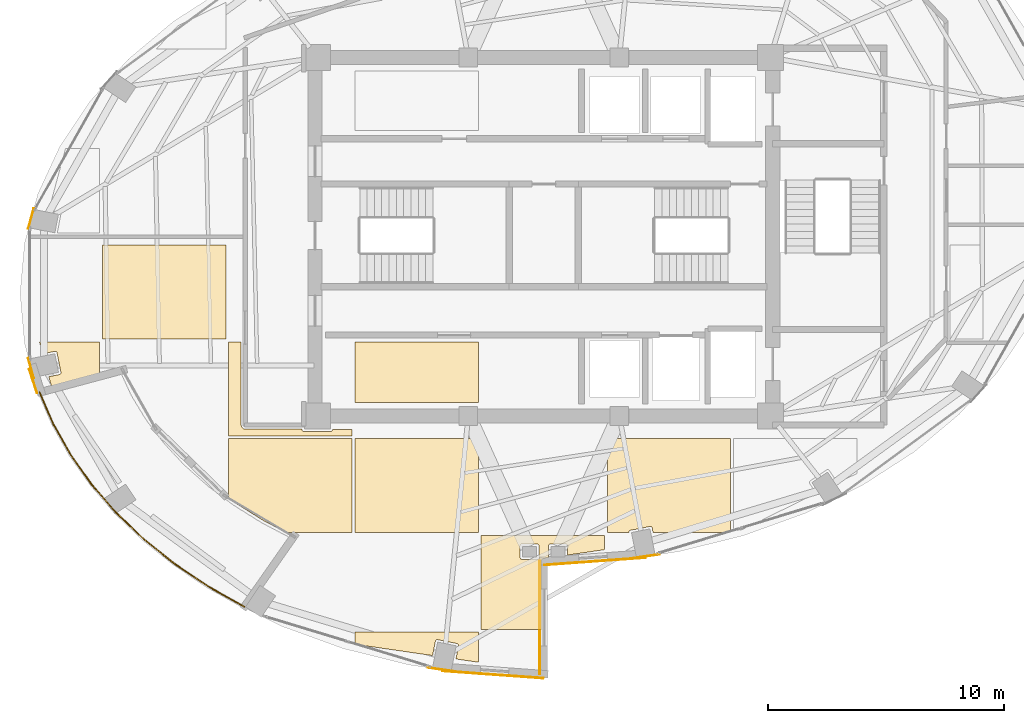
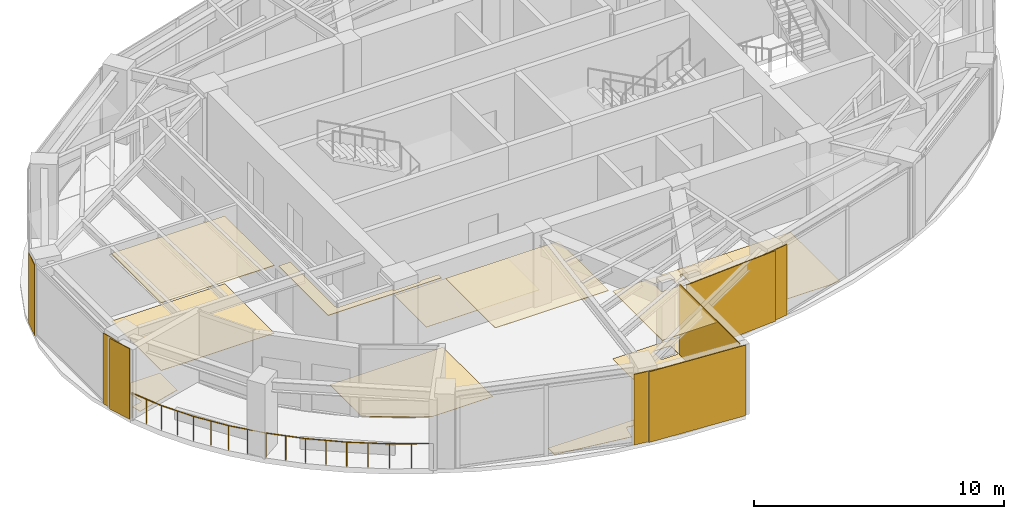
# One storey, part 20 of 21: 19 coverings, 8 railings.
"""IFC4 building model written with IfcOpenShell, lengths in metres."""

from ifc_helpers import new_model, si_unit, direction, frame, origin, origin_2d, place, context, subcontext, project, spatial, polyline, rectangle, circle, outline, extrude, material, layer, layer_set, type_object, element, save


model = new_model("IFC4")

# Units and contexts
model_context = context("Model", 3, precision=1e-05, world=origin(), true_north=direction((0.0, 1.0)))
body_context = subcontext(model_context, "Body", "Model", "MODEL_VIEW")
ifc_project = project(units=[si_unit("LENGTHUNIT", "METRE"), si_unit("AREAUNIT", "SQUARE_METRE"), si_unit("VOLUMEUNIT", "CUBIC_METRE"), si_unit("PLANEANGLEUNIT", "RADIAN"), si_unit("MASSUNIT", "GRAM", prefix="KILO")], contexts=[model_context])

# Site, building, storey
site_placement = place(None, origin())
site = spatial("IfcSite", under=ifc_project, at=site_placement, CompositionType="ELEMENT")
building_placement = place(site_placement, origin())
building = spatial("IfcBuilding", under=site, at=building_placement, Name="Lazwardi Medical Tower", CompositionType="ELEMENT")
storey_placement = place(building_placement, frame((0.0, 0.0, 216.719970703125)))
storey = spatial("IfcBuildingStorey", under=building, at=storey_placement, Name="L56", CompositionType="ELEMENT", Elevation=216.719970703125)

# Coverings
ifc_material_1 = material(Name="Anodised bronze aluminium cassette cladding", Category="aluminium")
ifc_layer_1 = layer(ifc_material_1, 0.030029296875)
ifc_layer_set_1 = layer_set([ifc_layer_1], Name="Anodised bronze aluminium cassette cladding")
covering_type_1 = type_object("IfcCoveringType", Name="COV-CLD-BRZ", PredefinedType="CLADDING", material=ifc_layer_set_1)
covering_1_placement = place(storey_placement, frame((40.3232421875, 14.450439453125, 0.0), z_axis=(0.0, 0.0, 1.0), x_axis=(0.989512431533, 0.144447733943, 0.0)))
element("IfcCovering", 1, at=covering_1_placement, inside=storey, type_object=covering_type_1, Name="L56 Mega-column bronze cassette cover M01", PredefinedType="CLADDING", context=body_context, shape_type="SweptSolid", body=[
    extrude(rectangle(XDim=1.188720703125, YDim=0.030029296875, at=origin_2d()), origin(), (0.0, 0.0, 1.0), 3.447998046875),
])
for number, where, z_axis, x_axis, name in (
    (2, (14.265869140625, 28.772705078125, 0.0), (0.0, 0.0, 1.0), (-0.261641748247, -0.96516506131, 0.0), "L56 Mega-column bronze cassette cover M12"),
    (3, (14.265869140625, 22.427490234375, 0.0), (0.0, 0.0, 1.0), (0.261641748247, -0.96516506131, 0.0), "L56 Mega-column bronze cassette cover M13"),
):
    element("IfcCovering", number, at=place(storey_placement, frame(where, z_axis=z_axis, x_axis=x_axis)), inside=storey, type_object=covering_type_1, Name=name, PredefinedType="CLADDING", context=body_context, shape_type="SweptSolid", body=[
        extrude(rectangle(XDim=0.894287109375, YDim=0.030029296875, at=origin_2d()), origin(), (0.0, 0.0, 1.0), 3.447998046875),
    ])
covering_2_placement = place(storey_placement, frame((31.6767578125, 9.650390625, 0.0), z_axis=(0.0, 0.0, 1.0), x_axis=(0.989512431533, -0.144447733943, 0.0)))
element("IfcCovering", 4, at=covering_2_placement, inside=storey, type_object=covering_type_1, Name="L56 Mega-column bronze cassette cover M16", PredefinedType="CLADDING", context=body_context, shape_type="SweptSolid", body=[
    extrude(rectangle(XDim=1.188720703125, YDim=0.030029296875, at=origin_2d()), origin(), (0.0, 0.0, 1.0), 3.447998046875),
])
ifc_material_2 = material(Name="Turquoise glazed ceramic tilework cladding", Category="masonry")
ifc_layer_2 = layer(ifc_material_2, 0.034912109375)
ifc_layer_set_2 = layer_set([ifc_layer_2], Name="Turquoise glazed ceramic tilework cladding")
covering_type_2 = type_object("IfcCoveringType", Name="COV-CLD-TRQ", PredefinedType="CLADDING", material=ifc_layer_set_2)
covering_3_placement = place(storey_placement, frame((38.16259765625, 14.239990234375, 0.0), z_axis=(0.0, 0.0, 1.0), x_axis=(0.997409491337, 0.071932653157, 0.0)))
element("IfcCovering", 5, at=covering_3_placement, inside=storey, type_object=covering_type_2, Name="L56 Turquoise glazed ceramic tilework cladding", PredefinedType="CLADDING", context=body_context, shape_type="SweptSolid", body=[
    extrude(rectangle(XDim=4.31103515625, YDim=0.034912109375, at=origin_2d()), origin(), (0.0, 0.0, 1.0), 3.447998046875),
])
covering_4_placement = place(storey_placement, frame((33.83740234375, 9.43994140625, 0.0), z_axis=(0.0, 0.0, 1.0), x_axis=(0.997408989128, -0.071939616387, 0.0)))
element("IfcCovering", 6, at=covering_4_placement, inside=storey, type_object=covering_type_2, Name="L56 Turquoise glazed ceramic tilework cladding", PredefinedType="CLADDING", context=body_context, shape_type="SweptSolid", body=[
    extrude(rectangle(XDim=4.310546875, YDim=0.034912109375, at=origin_2d()), origin(), (0.0, 0.0, 1.0), 3.447998046875),
])
covering_5_placement = place(storey_placement, frame((35.824462890625, 11.860107421875, 0.0), z_axis=(0.0, 0.0, 1.0), x_axis=(0.0, 1.0, 0.0)))
element("IfcCovering", 7, at=covering_5_placement, inside=storey, type_object=covering_type_2, Name="L56 Turquoise glazed ceramic tilework iwan panel", PredefinedType="CLADDING", context=body_context, shape_type="SweptSolid", body=[
    extrude(rectangle(XDim=4.800048828125, YDim=0.034912109375, at=origin_2d()), origin(), (0.0, 0.0, 1.0), 3.447998046875),
])
covering_6_placement = place(storey_placement, frame((14.360595703125, 21.879150390625, 0.0), z_axis=(0.0, 0.0, 1.0), x_axis=(0.303318010952, -0.952889387197, 0.0)))
element("IfcCovering", 8, at=covering_6_placement, inside=storey, type_object=covering_type_2, Name="L56 Turquoise glazed ceramic tilework cladding", PredefinedType="CLADDING", context=body_context, shape_type="SweptSolid", body=[
    extrude(rectangle(XDim=1.080810546875, YDim=0.034912109375, at=origin_2d()), origin(), (0.0, 0.0, 1.0), 3.447998046875),
])
ifc_material_3 = material(Name="Acoustic mineral fibre tile")
ifc_layer_3 = layer(ifc_material_3, 0.02490234375)
ifc_layer_set_3 = layer_set([ifc_layer_3], Name="Acoustic mineral fibre tile")
covering_type_3 = type_object("IfcCoveringType", Name="COV-CLG-01", PredefinedType="CEILING", material=ifc_layer_set_3)
covering_7_placement = place(storey_placement, frame((0.0, 0.0, 3.302978515625)))
element("IfcCovering", 9, at=covering_7_placement, inside=storey, type_object=covering_type_3, Name="L56 Clinical Acoustic Ceiling 2", PredefinedType="CEILING", context=body_context, shape_type="SweptSolid", body=[
    extrude(outline(polyline([(22.52294921875, 23.66259765625), (22.52294921875, 27.642578125), (17.29296875, 27.642578125), (17.29296875, 23.66259765625), (22.52294921875, 23.66259765625)])), origin(), (0.0, 0.0, 1.0), 0.025146484375),
])
covering_8_placement = place(storey_placement, frame((0.0, 0.0, 3.302978515625)))
element("IfcCovering", 10, at=covering_8_placement, inside=storey, type_object=covering_type_3, Name="L56 Clinical Acoustic Ceiling 4", PredefinedType="CEILING", context=body_context, shape_type="SweptSolid", body=[
    extrude(outline(polyline([(27.872802734375, 19.820068359375), (27.04931640625, 19.820068359375), (27.048583984375, 19.814453125), (27.046630859375, 19.806884765625), (27.0439453125, 19.79931640625), (27.04052734375, 19.792236328125), (27.03662109375, 19.78564453125), (27.03173828125, 19.779296875), (27.026611328125, 19.7734375), (27.020751953125, 19.768310546875), (27.014404296875, 19.763427734375), (27.0078125, 19.759521484375), (27.00048828125, 19.756103515625), (26.9931640625, 19.75341796875), (26.985595703125, 19.75146484375), (26.977783203125, 19.75048828125), (26.969970703125, 19.75), (25.830078125, 19.75), (25.822265625, 19.75048828125), (25.814453125, 19.75146484375), (25.806884765625, 19.75341796875), (25.79931640625, 19.756103515625), (25.792236328125, 19.759521484375), (25.78564453125, 19.763427734375), (25.779296875, 19.768310546875), (25.7734375, 19.7734375), (25.768310546875, 19.779296875), (25.763427734375, 19.78564453125), (25.759521484375, 19.792236328125), (25.756103515625, 19.79931640625), (25.75341796875, 19.806884765625), (25.75146484375, 19.814453125), (25.75048828125, 19.822265625), (25.75, 19.830078125), (25.75, 19.844970703125), (23.35009765625, 19.844970703125), (23.345703125, 19.84521484375), (23.33642578125, 19.845703125), (23.32958984375, 19.84619140625), (23.3203125, 19.84765625), (23.31201171875, 19.84912109375), (23.302734375, 19.8515625), (23.2958984375, 19.853515625), (23.287109375, 19.856689453125), (23.279296875, 19.860107421875), (23.270751953125, 19.864013671875), (23.263916015625, 19.86767578125), (23.256103515625, 19.872314453125), (23.249267578125, 19.876953125), (23.24169921875, 19.882568359375), (23.236083984375, 19.88720703125), (23.229248046875, 19.893310546875), (23.223388671875, 19.8994140625), (23.217041015625, 19.90625), (23.21240234375, 19.911865234375), (23.206787109375, 19.919189453125), (23.202392578125, 19.926025390625), (23.197509765625, 19.93408203125), (23.194091796875, 19.94091796875), (23.18994140625, 19.94921875), (23.186767578125, 19.95703125), (23.18359375, 19.9658203125), (23.181396484375, 19.972900390625), (23.17919921875, 19.98193359375), (23.177490234375, 19.990234375), (23.17626953125, 19.99951171875), (23.175537109375, 20.00634765625), (23.175048828125, 20.015625), (23.175048828125, 20.02001953125), (23.175048828125, 23.54248046875), (22.642822265625, 23.54248046875), (22.642822265625, 19.5625), (27.872802734375, 19.5625), (27.872802734375, 19.820068359375)])), origin(), (0.0, 0.0, 1.0), 0.025146484375),
])
covering_9_placement = place(storey_placement, frame((0.0, 0.0, 3.302978515625)))
element("IfcCovering", 11, at=covering_9_placement, inside=storey, type_object=covering_type_3, Name="L56 Clinical Acoustic Ceiling 5", PredefinedType="CEILING", context=body_context, shape_type="SweptSolid", body=[
    extrude(outline(polyline([(33.222900390625, 15.46240234375), (33.222900390625, 19.4423828125), (27.992919921875, 19.4423828125), (27.992919921875, 15.46240234375), (33.222900390625, 15.46240234375)])), origin(), (0.0, 0.0, 1.0), 0.025146484375),
])
covering_10_placement = place(storey_placement, frame((0.0, 0.0, 3.302978515625)))
element("IfcCovering", 12, at=covering_10_placement, inside=storey, type_object=covering_type_3, Name="L56 Clinical Acoustic Ceiling 6", PredefinedType="CEILING", context=body_context, shape_type="SweptSolid", body=[
    extrude(outline(polyline([(35.919921875, 11.362548828125), (35.919921875, 14.280029296875), (35.92041015625, 14.28759765625), (35.92138671875, 14.295166015625), (35.923095703125, 14.302490234375), (35.92578125, 14.309814453125), (35.928955078125, 14.316650390625), (35.9326171875, 14.3232421875), (35.93701171875, 14.329345703125), (35.94189453125, 14.335205078125), (35.947509765625, 14.34033203125), (35.95361328125, 14.34521484375), (35.9599609375, 14.34912109375), (35.966796875, 14.352783203125), (35.9736328125, 14.355712890625), (35.98095703125, 14.357666015625), (35.988525390625, 14.359130859375), (36.201416015625, 14.39013671875), (36.200439453125, 14.397216796875), (36.199951171875, 14.405029296875), (36.199951171875, 14.89501953125), (36.200439453125, 14.90283203125), (36.201416015625, 14.91064453125), (36.203369140625, 14.918212890625), (36.2060546875, 14.925537109375), (36.20947265625, 14.9326171875), (36.21337890625, 14.939453125), (36.21826171875, 14.94580078125), (36.223388671875, 14.95166015625), (36.229248046875, 14.956787109375), (36.235595703125, 14.96142578125), (36.2421875, 14.965576171875), (36.24951171875, 14.968994140625), (36.2568359375, 14.9716796875), (36.264404296875, 14.973388671875), (36.272216796875, 14.974609375), (36.280029296875, 14.97509765625), (36.919921875, 14.97509765625), (36.927734375, 14.974609375), (36.935546875, 14.973388671875), (36.943115234375, 14.9716796875), (36.95068359375, 14.968994140625), (36.957763671875, 14.965576171875), (36.96435546875, 14.96142578125), (36.970703125, 14.956787109375), (36.9765625, 14.95166015625), (36.981689453125, 14.94580078125), (36.986572265625, 14.939453125), (36.990478515625, 14.9326171875), (36.993896484375, 14.925537109375), (36.99658203125, 14.918212890625), (36.99853515625, 14.91064453125), (36.99951171875, 14.90283203125), (37.0, 14.89501953125), (37.0, 14.506591796875), (38.572998046875, 14.735595703125), (38.572998046875, 15.342529296875), (33.343017578125, 15.342529296875), (33.343017578125, 11.362548828125), (35.919921875, 11.362548828125)]), holes=[polyline([(35.7431640625, 14.328369140625), (35.735595703125, 14.326416015625), (35.727783203125, 14.325439453125), (35.719970703125, 14.324951171875), (35.080078125, 14.324951171875), (35.072265625, 14.325439453125), (35.064453125, 14.326416015625), (35.056884765625, 14.328369140625), (35.04931640625, 14.3310546875), (35.042236328125, 14.33447265625), (35.03564453125, 14.33837890625), (35.029296875, 14.34326171875), (35.0234375, 14.348388671875), (35.018310546875, 14.354248046875), (35.013427734375, 14.360595703125), (35.009521484375, 14.3671875), (35.006103515625, 14.37451171875), (35.00341796875, 14.3818359375), (35.00146484375, 14.389404296875), (35.00048828125, 14.397216796875), (35.0, 14.405029296875), (35.0, 14.89501953125), (35.00048828125, 14.90283203125), (35.00146484375, 14.91064453125), (35.00341796875, 14.918212890625), (35.006103515625, 14.925537109375), (35.009521484375, 14.9326171875), (35.013427734375, 14.939453125), (35.018310546875, 14.94580078125), (35.0234375, 14.95166015625), (35.029296875, 14.956787109375), (35.03564453125, 14.96142578125), (35.042236328125, 14.965576171875), (35.04931640625, 14.968994140625), (35.056884765625, 14.9716796875), (35.064453125, 14.973388671875), (35.072265625, 14.974609375), (35.080078125, 14.97509765625), (35.719970703125, 14.97509765625), (35.727783203125, 14.974609375), (35.735595703125, 14.973388671875), (35.7431640625, 14.9716796875), (35.75048828125, 14.968994140625), (35.7578125, 14.965576171875), (35.764404296875, 14.96142578125), (35.770751953125, 14.956787109375), (35.776611328125, 14.95166015625), (35.78173828125, 14.94580078125), (35.78662109375, 14.939453125), (35.79052734375, 14.9326171875), (35.7939453125, 14.925537109375), (35.796630859375, 14.918212890625), (35.798583984375, 14.91064453125), (35.799560546875, 14.90283203125), (35.800048828125, 14.89501953125), (35.800048828125, 14.405029296875), (35.799560546875, 14.397216796875), (35.798583984375, 14.389404296875), (35.796630859375, 14.3818359375), (35.7939453125, 14.37451171875), (35.79052734375, 14.3671875), (35.78662109375, 14.360595703125), (35.78173828125, 14.354248046875), (35.776611328125, 14.348388671875), (35.770751953125, 14.34326171875), (35.764404296875, 14.33837890625), (35.7578125, 14.33447265625), (35.75048828125, 14.3310546875), (35.7431640625, 14.328369140625)])]), origin(), (0.0, 0.0, 1.0), 0.025146484375),
])
ifc_material_4 = material(Name="Anti-static hospital vinyl sheet flooring")
ifc_layer_4 = layer(ifc_material_4, 0.014892578125)
ifc_layer_set_4 = layer_set([ifc_layer_4], Name="Anti-static hospital vinyl sheet flooring")
covering_type_4 = type_object("IfcCoveringType", Name="COV-FLR-01", PredefinedType="FLOORING", material=ifc_layer_set_4)
covering_11_placement = place(storey_placement, origin())
element("IfcCovering", 13, at=covering_11_placement, inside=storey, type_object=covering_type_4, Name="L56 Clinical Vinyl Flooring 1", PredefinedType="FLOORING", context=body_context, shape_type="SweptSolid", body=[
    extrude(outline(polyline([(14.6220703125, 23.54248046875), (14.759521484375, 23.035888671875), (15.276611328125, 23.138671875), (15.2841796875, 23.139892578125), (15.2919921875, 23.14013671875), (15.2998046875, 23.139892578125), (15.3076171875, 23.138671875), (15.315185546875, 23.13671875), (15.32275390625, 23.134033203125), (15.329833984375, 23.130859375), (15.33642578125, 23.126708984375), (15.343017578125, 23.1220703125), (15.3486328125, 23.11669921875), (15.35400390625, 23.111083984375), (15.358642578125, 23.1044921875), (15.36279296875, 23.097900390625), (15.365966796875, 23.0908203125), (15.36865234375, 23.08349609375), (15.37060546875, 23.07568359375), (15.534423828125, 22.251953125), (15.53564453125, 22.244140625), (15.535888671875, 22.236328125), (15.53564453125, 22.228515625), (15.534423828125, 22.220703125), (15.53271484375, 22.213134765625), (15.52978515625, 22.205810546875), (15.526611328125, 22.19873046875), (15.5224609375, 22.19189453125), (15.517822265625, 22.185791015625), (15.5126953125, 22.1796875), (15.5068359375, 22.174560546875), (15.50048828125, 22.169921875), (15.49365234375, 22.165771484375), (15.486572265625, 22.16259765625), (15.479248046875, 22.159912109375), (15.4716796875, 22.157958984375), (15.0224609375, 22.068603515625), (15.143798828125, 21.62158203125), (17.1728515625, 22.165283203125), (17.1728515625, 23.54248046875), (14.6220703125, 23.54248046875)])), origin(), (0.0, 0.0, 1.0), 0.01513671875),
])
covering_12_placement = place(storey_placement, origin())
element("IfcCovering", 14, at=covering_12_placement, inside=storey, type_object=covering_type_4, Name="L56 Clinical Vinyl Flooring 2", PredefinedType="FLOORING", context=body_context, shape_type="SweptSolid", body=[
    extrude(outline(polyline([(22.52294921875, 23.66259765625), (22.52294921875, 27.642578125), (17.29296875, 27.642578125), (17.29296875, 23.66259765625), (22.52294921875, 23.66259765625)])), origin(), (0.0, 0.0, 1.0), 0.01513671875),
])
covering_13_placement = place(storey_placement, origin())
element("IfcCovering", 15, at=covering_13_placement, inside=storey, type_object=covering_type_4, Name="L56 Clinical Vinyl Flooring 4", PredefinedType="FLOORING", context=body_context, shape_type="SweptSolid", body=[
    extrude(outline(polyline([(22.642822265625, 16.92138671875), (22.92138671875, 16.714111328125), (24.109619140625, 15.971435546875), (25.081787109375, 15.46240234375), (27.872802734375, 15.46240234375), (27.872802734375, 19.4423828125), (22.642822265625, 19.4423828125), (22.642822265625, 16.92138671875)])), origin(), (0.0, 0.0, 1.0), 0.01513671875),
])
covering_14_placement = place(storey_placement, origin())
element("IfcCovering", 16, at=covering_14_placement, inside=storey, type_object=covering_type_4, Name="L56 Clinical Vinyl Flooring 5", PredefinedType="FLOORING", context=body_context, shape_type="SweptSolid", body=[
    extrude(outline(polyline([(27.992919921875, 10.726806640625), (31.285400390625, 10.247314453125), (31.40673828125, 10.8583984375), (31.40869140625, 10.865966796875), (31.411376953125, 10.873291015625), (31.414794921875, 10.88037109375), (31.418701171875, 10.88720703125), (31.423583984375, 10.8935546875), (31.4287109375, 10.8994140625), (31.4345703125, 10.904541015625), (31.44091796875, 10.9091796875), (31.447509765625, 10.913330078125), (31.45458984375, 10.91650390625), (31.462158203125, 10.919189453125), (31.4697265625, 10.921142578125), (31.4775390625, 10.92236328125), (31.4853515625, 10.922607421875), (31.4931640625, 10.92236328125), (31.5009765625, 10.921142578125), (32.32470703125, 10.75732421875), (32.332275390625, 10.75537109375), (32.339599609375, 10.752685546875), (32.3466796875, 10.74951171875), (32.353515625, 10.745361328125), (32.35986328125, 10.740478515625), (32.36572265625, 10.7353515625), (32.370849609375, 10.7294921875), (32.37548828125, 10.72314453125), (32.379638671875, 10.716552734375), (32.383056640625, 10.70947265625), (32.3857421875, 10.701904296875), (32.3876953125, 10.6943359375), (32.388671875, 10.6865234375), (32.38916015625, 10.6787109375), (32.388671875, 10.6708984375), (32.3876953125, 10.6630859375), (32.276123046875, 10.10302734375), (33.222900390625, 9.96533203125), (33.222900390625, 11.242431640625), (27.992919921875, 11.242431640625), (27.992919921875, 10.726806640625)])), origin(), (0.0, 0.0, 1.0), 0.01513671875),
])
covering_15_placement = place(storey_placement, origin())
element("IfcCovering", 17, at=covering_15_placement, inside=storey, type_object=covering_type_4, Name="L56 Clinical Vinyl Flooring 6", PredefinedType="FLOORING", context=body_context, shape_type="SweptSolid", body=[
    extrude(outline(polyline([(27.992919921875, 20.97998046875), (33.222900390625, 20.97998046875), (33.222900390625, 23.54248046875), (27.992919921875, 23.54248046875), (27.992919921875, 20.97998046875)])), origin(), (0.0, 0.0, 1.0), 0.01513671875),
])
covering_16_placement = place(storey_placement, origin())
element("IfcCovering", 18, at=covering_16_placement, inside=storey, type_object=covering_type_4, Name="L56 Clinical Vinyl Flooring 8", PredefinedType="FLOORING", context=body_context, shape_type="SweptSolid", body=[
    extrude(outline(polyline([(35.919921875, 11.362548828125), (35.919921875, 14.280029296875), (35.92041015625, 14.28759765625), (35.92138671875, 14.295166015625), (35.923095703125, 14.302490234375), (35.92578125, 14.309814453125), (35.928955078125, 14.316650390625), (35.9326171875, 14.3232421875), (35.93701171875, 14.329345703125), (35.94189453125, 14.335205078125), (35.947509765625, 14.34033203125), (35.95361328125, 14.34521484375), (35.9599609375, 14.34912109375), (35.966796875, 14.352783203125), (35.9736328125, 14.355712890625), (35.98095703125, 14.357666015625), (35.988525390625, 14.359130859375), (36.201416015625, 14.39013671875), (36.200439453125, 14.397216796875), (36.199951171875, 14.405029296875), (36.199951171875, 14.89501953125), (36.200439453125, 14.90283203125), (36.201416015625, 14.91064453125), (36.203369140625, 14.918212890625), (36.2060546875, 14.925537109375), (36.20947265625, 14.9326171875), (36.21337890625, 14.939453125), (36.21826171875, 14.94580078125), (36.223388671875, 14.95166015625), (36.229248046875, 14.956787109375), (36.235595703125, 14.96142578125), (36.2421875, 14.965576171875), (36.24951171875, 14.968994140625), (36.2568359375, 14.9716796875), (36.264404296875, 14.973388671875), (36.272216796875, 14.974609375), (36.280029296875, 14.97509765625), (36.919921875, 14.97509765625), (36.927734375, 14.974609375), (36.935546875, 14.973388671875), (36.943115234375, 14.9716796875), (36.95068359375, 14.968994140625), (36.957763671875, 14.965576171875), (36.96435546875, 14.96142578125), (36.970703125, 14.956787109375), (36.9765625, 14.95166015625), (36.981689453125, 14.94580078125), (36.986572265625, 14.939453125), (36.990478515625, 14.9326171875), (36.993896484375, 14.925537109375), (36.99658203125, 14.918212890625), (36.99853515625, 14.91064453125), (36.99951171875, 14.90283203125), (37.0, 14.89501953125), (37.0, 14.506591796875), (38.572998046875, 14.735595703125), (38.572998046875, 15.342529296875), (33.343017578125, 15.342529296875), (33.343017578125, 11.362548828125), (35.919921875, 11.362548828125)]), holes=[polyline([(35.7431640625, 14.328369140625), (35.735595703125, 14.326416015625), (35.727783203125, 14.325439453125), (35.719970703125, 14.324951171875), (35.080078125, 14.324951171875), (35.072265625, 14.325439453125), (35.064453125, 14.326416015625), (35.056884765625, 14.328369140625), (35.04931640625, 14.3310546875), (35.042236328125, 14.33447265625), (35.03564453125, 14.33837890625), (35.029296875, 14.34326171875), (35.0234375, 14.348388671875), (35.018310546875, 14.354248046875), (35.013427734375, 14.360595703125), (35.009521484375, 14.3671875), (35.006103515625, 14.37451171875), (35.00341796875, 14.3818359375), (35.00146484375, 14.389404296875), (35.00048828125, 14.397216796875), (35.0, 14.405029296875), (35.0, 14.89501953125), (35.00048828125, 14.90283203125), (35.00146484375, 14.91064453125), (35.00341796875, 14.918212890625), (35.006103515625, 14.925537109375), (35.009521484375, 14.9326171875), (35.013427734375, 14.939453125), (35.018310546875, 14.94580078125), (35.0234375, 14.95166015625), (35.029296875, 14.956787109375), (35.03564453125, 14.96142578125), (35.042236328125, 14.965576171875), (35.04931640625, 14.968994140625), (35.056884765625, 14.9716796875), (35.064453125, 14.973388671875), (35.072265625, 14.974609375), (35.080078125, 14.97509765625), (35.719970703125, 14.97509765625), (35.727783203125, 14.974609375), (35.735595703125, 14.973388671875), (35.7431640625, 14.9716796875), (35.75048828125, 14.968994140625), (35.7578125, 14.965576171875), (35.764404296875, 14.96142578125), (35.770751953125, 14.956787109375), (35.776611328125, 14.95166015625), (35.78173828125, 14.94580078125), (35.78662109375, 14.939453125), (35.79052734375, 14.9326171875), (35.7939453125, 14.925537109375), (35.796630859375, 14.918212890625), (35.798583984375, 14.91064453125), (35.799560546875, 14.90283203125), (35.800048828125, 14.89501953125), (35.800048828125, 14.405029296875), (35.799560546875, 14.397216796875), (35.798583984375, 14.389404296875), (35.796630859375, 14.3818359375), (35.7939453125, 14.37451171875), (35.79052734375, 14.3671875), (35.78662109375, 14.360595703125), (35.78173828125, 14.354248046875), (35.776611328125, 14.348388671875), (35.770751953125, 14.34326171875), (35.764404296875, 14.33837890625), (35.7578125, 14.33447265625), (35.75048828125, 14.3310546875), (35.7431640625, 14.328369140625)])]), origin(), (0.0, 0.0, 1.0), 0.01513671875),
])
covering_17_placement = place(storey_placement, origin())
element("IfcCovering", 19, at=covering_17_placement, inside=storey, type_object=covering_type_4, Name="L56 Clinical Vinyl Flooring 9", PredefinedType="FLOORING", context=body_context, shape_type="SweptSolid", body=[
    extrude(outline(polyline([(39.612548828125, 15.46240234375), (39.6123046875, 15.463134765625), (39.611328125, 15.470947265625), (39.61083984375, 15.478759765625), (39.611328125, 15.486572265625), (39.6123046875, 15.494384765625), (39.6142578125, 15.501953125), (39.616943359375, 15.509521484375), (39.620361328125, 15.5166015625), (39.62451171875, 15.523193359375), (39.629150390625, 15.529541015625), (39.63427734375, 15.535400390625), (39.64013671875, 15.54052734375), (39.646484375, 15.54541015625), (39.6533203125, 15.54931640625), (39.660400390625, 15.552734375), (39.667724609375, 15.555419921875), (39.67529296875, 15.557373046875), (40.4990234375, 15.72119140625), (40.5068359375, 15.722412109375), (40.5146484375, 15.72265625), (40.5224609375, 15.722412109375), (40.5302734375, 15.72119140625), (40.537841796875, 15.71923828125), (40.54541015625, 15.716552734375), (40.552490234375, 15.71337890625), (40.55908203125, 15.709228515625), (40.5654296875, 15.70458984375), (40.5712890625, 15.69921875), (40.576416015625, 15.693603515625), (40.581298828125, 15.687255859375), (40.585205078125, 15.680419921875), (40.588623046875, 15.67333984375), (40.59130859375, 15.666015625), (40.59326171875, 15.658203125), (40.632080078125, 15.46240234375), (43.565185546875, 15.46240234375), (43.9228515625, 15.5146484375), (43.9228515625, 19.4423828125), (38.69287109375, 19.4423828125), (38.69287109375, 15.46240234375), (39.612548828125, 15.46240234375)])), origin(), (0.0, 0.0, 1.0), 0.01513671875),
])

# Railings
ifc_material_5 = material(Name="Anodised bronze aluminium and laminated glass", Category="aluminium")
railing_type = type_object("IfcRailingType", Name="RLG-SKG-1250", PredefinedType="GUARDRAIL", material=ifc_material_5)
railing_1_placement = place(storey_placement, frame((14.6337890625, 21.402099609375, 0.0)))
element("IfcRailing", 20, at=railing_1_placement, inside=storey, type_object=railing_type, Name="L56 Sky Garden SG4 Perimeter Guard 01", PredefinedType="GUARDRAIL", context=body_context, shape_type="SweptSolid", body=[
    extrude(circle(Radius=0.02392578125, at=origin_2d()), frame((0.0, 0.0, 1.22607421875), z_axis=(0.395022140553, -0.918671599906, 0.0), x_axis=(0.918671599906, 0.395022140553, 0.0)), (0.0, 0.0, 1.0), 1.468994140625),
    extrude(circle(Radius=0.02099609375, at=origin_2d()), origin(), (0.0, 0.0, 1.0), 1.199951171875),
    extrude(circle(Radius=0.02099609375, at=origin_2d()), frame((0.2900390625, -0.6748046875, 0.0)), (0.0, 0.0, 1.0), 1.199951171875),
    extrude(circle(Radius=0.02099609375, at=origin_2d()), frame((0.580322265625, -1.349609375, 0.0)), (0.0, 0.0, 1.0), 1.199951171875),
])
railing_2_placement = place(storey_placement, frame((15.214111328125, 20.052490234375, 0.0)))
element("IfcRailing", 21, at=railing_2_placement, inside=storey, type_object=railing_type, Name="L56 Sky Garden SG4 Perimeter Guard 02", PredefinedType="GUARDRAIL", context=body_context, shape_type="SweptSolid", body=[
    extrude(circle(Radius=0.02392578125, at=origin_2d()), frame((0.0, 0.0, 1.22607421875), z_axis=(0.49171966141, -0.87075356708, 0.0), x_axis=(0.87075356708, 0.49171966141, 0.0)), (0.0, 0.0, 1.0), 1.50146484375),
    extrude(circle(Radius=0.02099609375, at=origin_2d()), origin(), (0.0, 0.0, 1.0), 1.199951171875),
    extrude(circle(Radius=0.02099609375, at=origin_2d()), frame((0.369140625, -0.65380859375, 0.0)), (0.0, 0.0, 1.0), 1.199951171875),
    extrude(circle(Radius=0.02099609375, at=origin_2d()), frame((0.73828125, -1.307373046875, 0.0)), (0.0, 0.0, 1.0), 1.199951171875),
])
railing_3_placement = place(storey_placement, frame((15.952392578125, 18.7451171875, 0.0)))
element("IfcRailing", 22, at=railing_3_placement, inside=storey, type_object=railing_type, Name="L56 Sky Garden SG4 Perimeter Guard 03", PredefinedType="GUARDRAIL", context=body_context, shape_type="SweptSolid", body=[
    extrude(circle(Radius=0.02392578125, at=origin_2d()), frame((0.0, 0.0, 1.22607421875), z_axis=(0.578910319652, -0.81539122009, 0.0), x_axis=(0.81539122009, 0.578910319652, 0.0)), (0.0, 0.0, 1.0), 1.539306640625),
    extrude(circle(Radius=0.02099609375, at=origin_2d()), origin(), (0.0, 0.0, 1.0), 1.199951171875),
    extrude(circle(Radius=0.02099609375, at=origin_2d()), frame((0.445556640625, -0.62744140625, 0.0)), (0.0, 0.0, 1.0), 1.199951171875),
    extrude(circle(Radius=0.02099609375, at=origin_2d()), frame((0.89111328125, -1.255126953125, 0.0)), (0.0, 0.0, 1.0), 1.199951171875),
])
railing_4_placement = place(storey_placement, frame((16.843505859375, 17.489990234375, 0.0)))
element("IfcRailing", 23, at=railing_4_placement, inside=storey, type_object=railing_type, Name="L56 Sky Garden SG4 Perimeter Guard 04", PredefinedType="GUARDRAIL", context=body_context, shape_type="SweptSolid", body=[
    extrude(circle(Radius=0.02392578125, at=origin_2d()), frame((0.0, 0.0, 1.22607421875), z_axis=(0.655876612179, -0.754868114041, 0.0), x_axis=(0.754868114041, 0.655876612179, 0.0)), (0.0, 0.0, 1.0), 1.580810546875),
    extrude(circle(Radius=0.02099609375, at=origin_2d()), origin(), (0.0, 0.0, 1.0), 1.199951171875),
    extrude(circle(Radius=0.02099609375, at=origin_2d()), frame((0.5185546875, -0.5966796875, 0.0)), (0.0, 0.0, 1.0), 1.199951171875),
    extrude(circle(Radius=0.02099609375, at=origin_2d()), frame((1.036865234375, -1.193359375, 0.0)), (0.0, 0.0, 1.0), 1.199951171875),
])
railing_5_placement = place(storey_placement, frame((17.88037109375, 16.296630859375, 0.0)))
element("IfcRailing", 24, at=railing_5_placement, inside=storey, type_object=railing_type, Name="L56 Sky Garden SG4 Perimeter Guard 05", PredefinedType="GUARDRAIL", context=body_context, shape_type="SweptSolid", body=[
    extrude(circle(Radius=0.02392578125, at=origin_2d()), frame((0.0, 0.0, 1.22607421875), z_axis=(0.72300069737, -0.690847299773, 0.0), x_axis=(0.690847299773, 0.72300069737, 0.0)), (0.0, 0.0, 1.0), 1.625),
    extrude(circle(Radius=0.02099609375, at=origin_2d()), origin(), (0.0, 0.0, 1.0), 1.199951171875),
    extrude(circle(Radius=0.02099609375, at=origin_2d()), frame((0.58740234375, -0.561279296875, 0.0)), (0.0, 0.0, 1.0), 1.199951171875),
    extrude(circle(Radius=0.02099609375, at=origin_2d()), frame((1.1748046875, -1.12255859375, 0.0)), (0.0, 0.0, 1.0), 1.199951171875),
])
railing_6_placement = place(storey_placement, frame((19.05517578125, 15.174072265625, 0.0)))
element("IfcRailing", 25, at=railing_6_placement, inside=storey, type_object=railing_type, Name="L56 Sky Garden SG4 Perimeter Guard 06", PredefinedType="GUARDRAIL", context=body_context, shape_type="SweptSolid", body=[
    extrude(circle(Radius=0.02392578125, at=origin_2d()), frame((0.0, 0.0, 1.22607421875), z_axis=(0.780726151625, -0.624873328098, 0.0), x_axis=(0.624873328098, 0.780726151625, 0.0)), (0.0, 0.0, 1.0), 1.669921875),
    extrude(circle(Radius=0.02099609375, at=origin_2d()), origin(), (0.0, 0.0, 1.0), 1.199951171875),
    extrude(circle(Radius=0.02099609375, at=origin_2d()), frame((0.65185546875, -0.521728515625, 0.0)), (0.0, 0.0, 1.0), 1.199951171875),
    extrude(circle(Radius=0.02099609375, at=origin_2d()), frame((1.3037109375, -1.04345703125, 0.0)), (0.0, 0.0, 1.0), 1.199951171875),
])
railing_7_placement = place(storey_placement, frame((20.35888671875, 14.130615234375, 0.0)))
element("IfcRailing", 26, at=railing_7_placement, inside=storey, type_object=railing_type, Name="L56 Sky Garden SG4 Perimeter Guard 07", PredefinedType="GUARDRAIL", context=body_context, shape_type="SweptSolid", body=[
    extrude(circle(Radius=0.02392578125, at=origin_2d()), frame((0.0, 0.0, 1.22607421875), z_axis=(0.830050630111, -0.557688041339, 0.0), x_axis=(0.557688041339, 0.830050630111, 0.0)), (0.0, 0.0, 1.0), 1.7138671875),
    extrude(circle(Radius=0.02099609375, at=origin_2d()), origin(), (0.0, 0.0, 1.0), 1.199951171875),
    extrude(circle(Radius=0.02099609375, at=origin_2d()), frame((0.71142578125, -0.47802734375, 0.0)), (0.0, 0.0, 1.0), 1.199951171875),
    extrude(circle(Radius=0.02099609375, at=origin_2d()), frame((1.422607421875, -0.955810546875, 0.0)), (0.0, 0.0, 1.0), 1.199951171875),
])
railing_8_placement = place(storey_placement, frame((21.781494140625, 13.1748046875, 0.0)))
element("IfcRailing", 27, at=railing_8_placement, inside=storey, type_object=railing_type, Name="L56 Sky Garden SG4 Perimeter Guard 08", PredefinedType="GUARDRAIL", context=body_context, shape_type="SweptSolid", body=[
    extrude(circle(Radius=0.02392578125, at=origin_2d()), frame((0.0, 0.0, 1.22607421875), z_axis=(0.871542130469, -0.490320624509, 0.0), x_axis=(0.490320624509, 0.871542130469, 0.0)), (0.0, 0.0, 1.0), 1.756591796875),
    extrude(circle(Radius=0.02099609375, at=origin_2d()), origin(), (0.0, 0.0, 1.0), 1.199951171875),
    extrude(circle(Radius=0.02099609375, at=origin_2d()), frame((0.765625, -0.4306640625, 0.0)), (0.0, 0.0, 1.0), 1.199951171875),
    extrude(circle(Radius=0.02099609375, at=origin_2d()), frame((1.531005859375, -0.861328125, 0.0)), (0.0, 0.0, 1.0), 1.199951171875),
])

save(model, "model.ifc")
